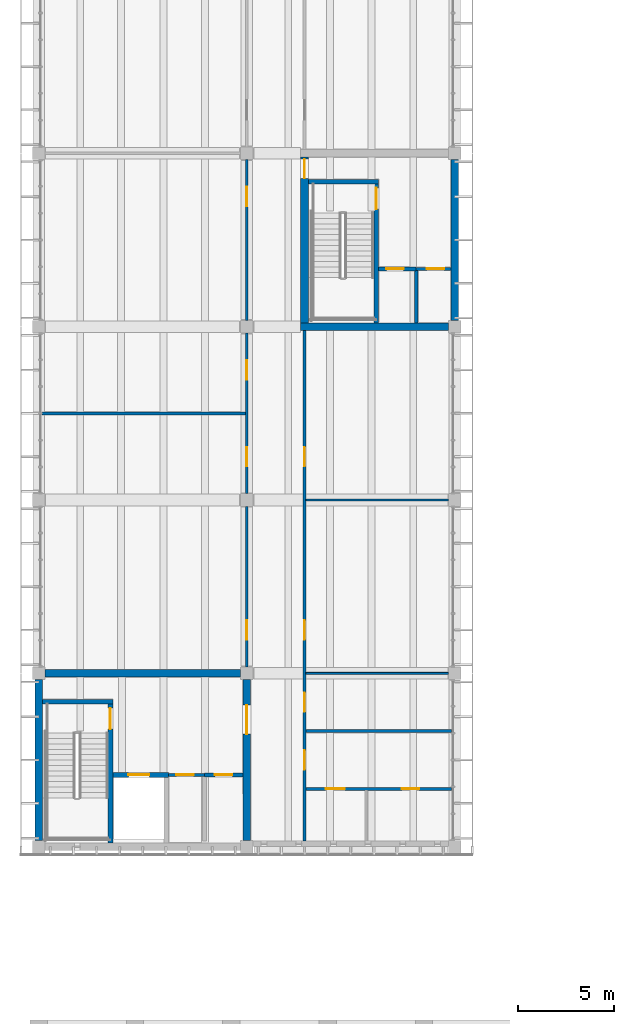
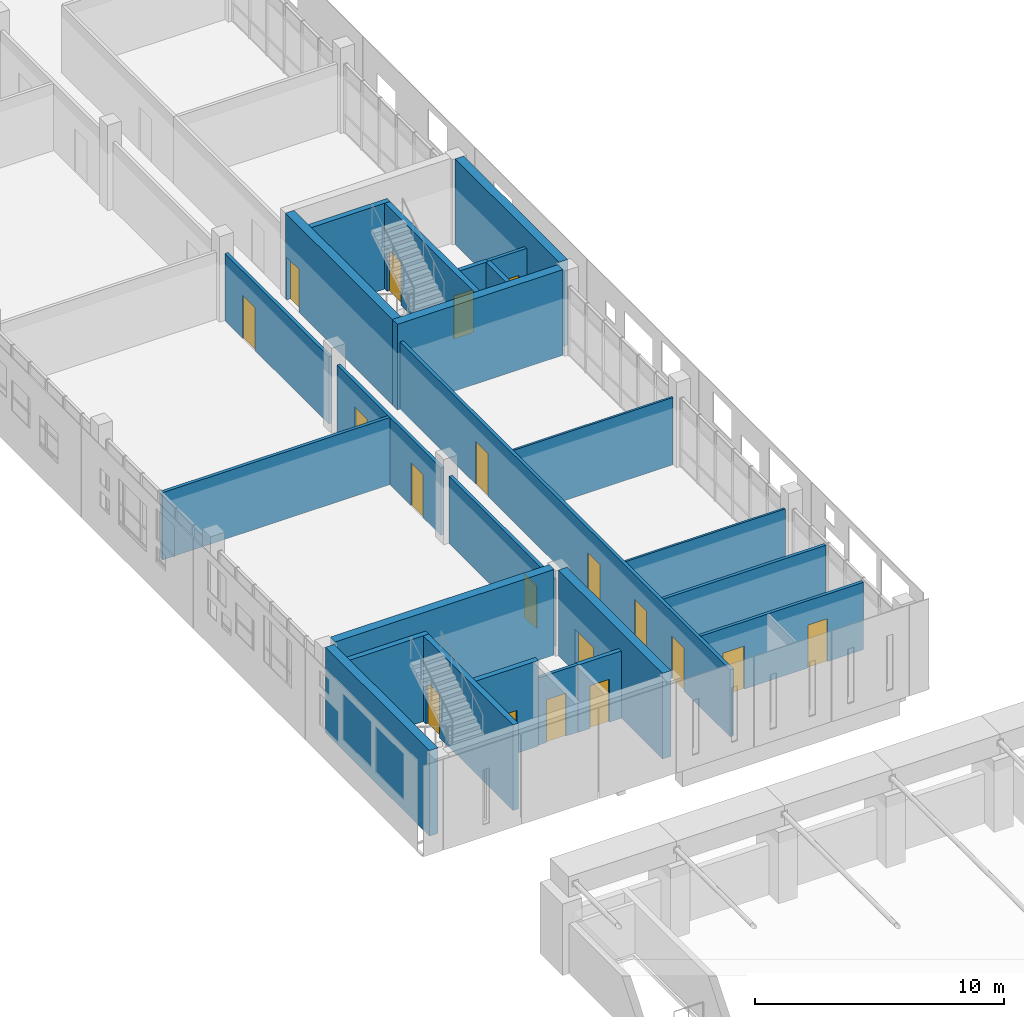
# One storey, part 52 of 92: 25 walls, 19 doors, 19 openings.
"""IFC4 building model written with IfcOpenShell, lengths in metres."""

import ifcopenshell
import ifcopenshell.guid

model = None  # the IFC model being written
_history = None  # IfcOwnerHistory: only IFC2X3 demands one
_inside = {}  # id of a spatial element -> (the spatial element, [elements in it])
_under = {}  # id of a project, library or spatial element -> (it, [spatial elements below it])
_declared = {}  # id of a project -> (the project, [libraries it declares])
_typed = {}  # id of a type object -> (the type object, [elements of that type])
_made_of = {}  # id of a material, layer set ... -> (it, [elements and type objects made of it])


def new_model(schema):
    """Start an empty IFC model of exactly this schema.

    Asked for "IFC4X3", IfcOpenShell would pick the latest addendum, in which some entities
    have other attributes; the version numbers below select the first issue.
    IFC2X3 requires an IfcOwnerHistory on every rooted entity: one is made here for all.
    """
    global model, _history
    if schema == "IFC4X3":
        model = ifcopenshell.file(schema_version=(4, 3, 0, 0))
    else:
        model = ifcopenshell.file(schema=schema)
    _inside.clear()
    _under.clear()
    _declared.clear()
    _typed.clear()
    _made_of.clear()
    _history = None
    if model.schema == "IFC2X3":
        org = make("IfcOrganization", Name="unknown")
        user = make(
            "IfcPersonAndOrganization",
            ThePerson=make("IfcPerson", FamilyName="unknown"),
            TheOrganization=org,
        )
        app = make(
            "IfcApplication",
            ApplicationDeveloper=org,
            Version="unknown",
            ApplicationFullName="unknown",
            ApplicationIdentifier="unknown",
        )
        _history = make(
            "IfcOwnerHistory",
            OwningUser=user,
            OwningApplication=app,
            ChangeAction="ADDED",
            CreationDate=0,
        )
    return model


def make(cls, **values):
    """One entity of the class cls with the attributes given. An attribute that is None is left unset."""
    return model.create_entity(
        cls, **{name: value for name, value in values.items() if value is not None}
    )


def rooted(cls, **values):
    """An entity with a GlobalId (a new one), such as an element, a storey or a relation."""
    return make(cls, GlobalId=ifcopenshell.guid.new(), OwnerHistory=_history, **values)


def si_unit(unit_type, name, prefix=None):
    """IfcSIUnit, for example si_unit("LENGTHUNIT", "METRE", prefix="MILLI")."""
    return make("IfcSIUnit", UnitType=unit_type, Prefix=prefix, Name=name)


def assignment(units):
    """IfcUnitAssignment: the units of a project."""
    return None if units is None else make("IfcUnitAssignment", Units=units)


def point(xyz):
    """IfcCartesianPoint."""
    return None if xyz is None else make("IfcCartesianPoint", Coordinates=xyz)


def direction(xyz):
    """IfcDirection."""
    return None if xyz is None else make("IfcDirection", DirectionRatios=xyz)


def frame(location, z_axis=None, x_axis=None):
    """IfcAxis2Placement3D, a coordinate frame: its origin and axes. An axis left out is left unset."""
    return make(
        "IfcAxis2Placement3D",
        Location=point(location),
        Axis=direction(z_axis),
        RefDirection=direction(x_axis),
    )


def frame_2d(location, x_axis=None):
    """IfcAxis2Placement2D, a coordinate frame in the plane: its origin and x axis."""
    return make(
        "IfcAxis2Placement2D", Location=point(location), RefDirection=direction(x_axis)
    )


def origin():
    """The frame at (0, 0, 0) with its axes left unset."""
    return frame((0.0, 0.0, 0.0))


def place(relative_to, where):
    """IfcLocalPlacement: puts the frame where relative to a parent placement (None: the world)."""
    return make(
        "IfcLocalPlacement", PlacementRelTo=relative_to, RelativePlacement=where
    )


def context(
    kind, dimensions, precision=None, world=None, true_north=None, identifier=None
):
    """IfcGeometricRepresentationContext, for example the 3D "Model" context."""
    return make(
        "IfcGeometricRepresentationContext",
        ContextIdentifier=identifier,
        ContextType=kind,
        CoordinateSpaceDimension=dimensions,
        Precision=precision,
        WorldCoordinateSystem=world,
        TrueNorth=true_north,
    )


def subcontext(parent, identifier, kind, view, scale=None):
    """IfcGeometricRepresentationSubContext, for example "Body" below "Model"."""
    return make(
        "IfcGeometricRepresentationSubContext",
        ContextIdentifier=identifier,
        ContextType=kind,
        ParentContext=parent,
        TargetScale=scale,
        TargetView=view,
    )


def project(units=None, contexts=None):
    """IfcProject with its units and contexts."""
    return rooted(
        "IfcProject",
        Name="project",
        RepresentationContexts=contexts,
        UnitsInContext=assignment(units),
    )


def spatial(cls, under=None, at=None, **own):
    """A site, building, storey or space (cls), placed at a placement, below another one or the project."""
    s = rooted(cls, ObjectPlacement=at, **own)
    if under is not None:
        _under.setdefault(under.id(), (under, []))[1].append(s)
    return s


def profile(cls, at=None, kind="AREA", **sizes):
    """A parametric profile (cls). Its sizes go by their IFC names, for example OverallWidth=200.0."""
    return make(cls, ProfileType=kind, Position=at, **sizes)


def rectangle(**sizes):
    """IfcRectangleProfileDef."""
    return profile("IfcRectangleProfileDef", **sizes)


def extrude(swept, where, along, depth):
    """IfcExtrudedAreaSolid: the profile swept, set in the frame where, extruded along a direction by depth."""
    return make(
        "IfcExtrudedAreaSolid",
        SweptArea=swept,
        Position=where,
        ExtrudedDirection=direction(along),
        Depth=depth,
    )


def shape(context_of_items, identifier, shape_type, items):
    """IfcShapeRepresentation: the items that make up one representation, for example the "Body"."""
    return make(
        "IfcShapeRepresentation",
        ContextOfItems=context_of_items,
        RepresentationIdentifier=identifier,
        RepresentationType=shape_type,
        Items=items,
    )


def material(Name=None, Category=None):
    """IfcMaterial."""
    return make("IfcMaterial", Name=Name, Category=Category)


def layer(
    of_material, thickness, ventilated=None, Name=None, Category=None, Priority=None
):
    """IfcMaterialLayer: one layer of a wall or slab, of a material (None: an air gap)."""
    return make(
        "IfcMaterialLayer",
        Material=of_material,
        LayerThickness=thickness,
        IsVentilated=ventilated,
        Name=Name,
        Category=Category,
        Priority=Priority,
    )


def layer_set(layers, Name=None):
    """IfcMaterialLayerSet."""
    return make("IfcMaterialLayerSet", MaterialLayers=layers, LayerSetName=Name)


def made_of(thing, what):
    """Note that an element or type object is made of a material, layer set ...; save() writes the relation."""
    if what is not None:
        _made_of.setdefault(what.id(), (what, []))[1].append(thing)
    return thing


def type_object(cls, material=None, **own):
    """A type object (cls), such as IfcWallType, which elements share."""
    return made_of(rooted(cls, **own), material)


def element(
    cls,
    number,
    at=None,
    inside=None,
    cuts=None,
    type_object=None,
    material=None,
    context=None,
    identifier="Body",
    shape_type=None,
    held_by="IfcProductDefinitionShape",
    body=None,
    shapes=None,
    **own,
):
    """One element of the class cls, such as IfcWall. Its Tag is "e" and its number.

    at: its placement. inside: the storey or other place that contains it. cuts: it is an
    opening in that element (IfcRelVoidsElement). A single representation is given by context,
    identifier, shape_type and body (its items); several are given by shapes. held_by: the class
    of the entity that holds the representations. save() writes the other relations.
    """
    e = rooted(cls, Tag="e%d" % number, ObjectPlacement=at, **own)
    if body is not None:
        shapes = [shape(context, identifier, shape_type, body)]
    if shapes is not None:
        e.Representation = make(held_by, Representations=shapes)
    if inside is not None:
        _inside.setdefault(inside.id(), (inside, []))[1].append(e)
    if cuts is not None:
        rooted(
            "IfcRelVoidsElement", RelatingBuildingElement=cuts, RelatedOpeningElement=e
        )
    if type_object is not None:
        _typed.setdefault(type_object.id(), (type_object, []))[1].append(e)
    return made_of(e, material)


def fill(opening, filler):
    """IfcRelFillsElement: the door or window that sits in an opening."""
    return rooted(
        "IfcRelFillsElement",
        RelatingOpeningElement=opening,
        RelatedBuildingElement=filler,
    )


def aggregate(whole, parts):
    """IfcRelAggregates: a whole, such as a stair, and the parts it consists of."""
    return rooted("IfcRelAggregates", RelatingObject=whole, RelatedObjects=parts)


def save(model, path):
    """Write the relations noted so far, then the file.

    IfcRelAggregates (storeys below a building ...), IfcRelContainedInSpatialStructure (elements
    in a storey), IfcRelDefinesByType, IfcRelAssociatesMaterial and IfcRelDeclares: one each for
    every whole, place, type object, material and project.
    """
    for whole, parts in _under.values():
        aggregate(whole, parts)
    for where, things in _inside.values():
        rooted(
            "IfcRelContainedInSpatialStructure",
            RelatedElements=things,
            RelatingStructure=where,
        )
    for kind, things in _typed.values():
        rooted("IfcRelDefinesByType", RelatedObjects=things, RelatingType=kind)
    for what, things in _made_of.values():
        rooted("IfcRelAssociatesMaterial", RelatedObjects=things, RelatingMaterial=what)
    for by, libraries in _declared.values():
        rooted("IfcRelDeclares", RelatingContext=by, RelatedDefinitions=libraries)
    model.write(path)


model = new_model("IFC4")

# Units and contexts
model_context = context("Model", 3, precision=1e-05, world=origin(), true_north=direction((0.0, 1.0)))
body_context = subcontext(model_context, "Body", "Model", "MODEL_VIEW")
ifc_project = project(units=[si_unit("LENGTHUNIT", "METRE"), si_unit("AREAUNIT", "SQUARE_METRE"), si_unit("VOLUMEUNIT", "CUBIC_METRE"), si_unit("PLANEANGLEUNIT", "RADIAN"), si_unit("MASSUNIT", "GRAM", prefix="KILO")], contexts=[model_context])

# Site, building, storey
site_placement = place(None, origin())
site = spatial("IfcSite", under=ifc_project, at=site_placement, CompositionType="ELEMENT")
building_placement = place(site_placement, origin())
building = spatial("IfcBuilding", under=site, at=building_placement, Name="Merrow Basin Faculty of Sciences", CompositionType="ELEMENT")
storey_placement = place(building_placement, frame((0.0, 0.0, 4.5)))
storey = spatial("IfcBuildingStorey", under=building, at=storey_placement, Name="L01", CompositionType="ELEMENT", Elevation=4.5)

# Wall, openings, doors
ifc_material_1 = material(Name="Fire-rated gypsum board")
ifc_layer_1 = layer(ifc_material_1, 0.14990234375)
ifc_layer_set_1 = layer_set([ifc_layer_1], Name="Corridor partition 150 fire-rated board on steel studs")
wall_type_1 = type_object("IfcWallType", Name="Corridor partition 150 fire-rated board on steel studs", PredefinedType="PARTITIONING", material=ifc_layer_set_1)
wall_1_placement = place(storey_placement, frame((13.800048828125, 61.300048828125, 0.0), z_axis=(0.0, 0.0, 1.0), x_axis=(0.0, 1.0, 0.0)))
wall_1 = element("IfcWall", 1, at=wall_1_placement, inside=storey, type_object=wall_type_1, Name="IW151 L01 006", PredefinedType="PARTITIONING", context=body_context, shape_type="SweptSolid", body=[
    extrude(rectangle(XDim=26.5, YDim=0.14990234375, at=frame_2d((13.25, 0.0))), origin(), (0.0, 0.0, 1.0), 3.300048828125),
])
opening_1_placement = place(wall_1_placement, frame((3.699951171875, 0.0, 0.0)))
opening_1 = element("IfcOpeningElement", 2, at=opening_1_placement, cuts=wall_1, Name="Opening D01B014", PredefinedType="OPENING", context=body_context, shape_type="SweptSolid", body=[
    extrude(rectangle(XDim=1.0, YDim=2.10009765625, at=frame_2d((0.5, 1.050048828125))), frame((0.0, 0.0849609375, 0.0), z_axis=(0.0, -1.0, 0.0), x_axis=(1.0, 0.0, 0.0)), (0.0, 0.0, 1.0), 0.169921875),
])
opening_2_placement = place(wall_1_placement, frame((10.449951171875, 0.0, 0.0)))
opening_2 = element("IfcOpeningElement", 3, at=opening_2_placement, cuts=wall_1, Name="Opening D01B023", PredefinedType="OPENING", context=body_context, shape_type="SweptSolid", body=[
    extrude(rectangle(XDim=1.0, YDim=2.10009765625, at=frame_2d((0.5, 1.050048828125))), frame((0.0, 0.0849609375, 0.0), z_axis=(0.0, -1.0, 0.0), x_axis=(1.0, 0.0, 0.0)), (0.0, 0.0, 1.0), 0.169921875),
])
opening_3_placement = place(wall_1_placement, frame((19.449951171875, 0.0, 0.0)))
opening_3 = element("IfcOpeningElement", 4, at=opening_3_placement, cuts=wall_1, Name="Opening D01B024", PredefinedType="OPENING", context=body_context, shape_type="SweptSolid", body=[
    extrude(rectangle(XDim=1.0, YDim=2.10009765625, at=frame_2d((0.5, 1.050048828125))), frame((0.0, 0.0849609375, 0.0), z_axis=(0.0, -1.0, 0.0), x_axis=(1.0, 0.0, 0.0)), (0.0, 0.0, 1.0), 0.169921875),
])
opening_4_placement = place(wall_1_placement, frame((6.699951171875, 0.0, 0.0)))
opening_4 = element("IfcOpeningElement", 5, at=opening_4_placement, cuts=wall_1, Name="Opening D01B027", PredefinedType="OPENING", context=body_context, shape_type="SweptSolid", body=[
    extrude(rectangle(XDim=1.0, YDim=2.10009765625, at=frame_2d((0.5, 1.050048828125))), frame((0.0, 0.0849609375, 0.0), z_axis=(0.0, -1.0, 0.0), x_axis=(1.0, 0.0, 0.0)), (0.0, 0.0, 1.0), 0.169921875),
])
ifc_material_2 = material(Name="Timber door leaf", Category="wood")
door_type_1 = type_object("IfcDoorType", Name="Single swing door 1000 x 2100", OperationType="NOTDEFINED", PredefinedType="DOOR", material=ifc_material_2)
door_1_placement = place(opening_1_placement, origin())
door_1 = element("IfcDoor", 6, at=door_1_placement, inside=storey, type_object=door_type_1, Name="Door D01B014", OperationType="SINGLE_SWING_LEFT", OverallHeight=2.10009765625, OverallWidth=1.0, PredefinedType="DOOR", context=body_context, shape_type="SweptSolid", body=[
    extrude(rectangle(XDim=1.0, YDim=2.10009765625, at=frame_2d((0.5, 1.050048828125))), frame((0.0, 0.02490234375, 0.0), z_axis=(0.0, -1.0, 0.0), x_axis=(1.0, 0.0, 0.0)), (0.0, 0.0, 1.0), 0.050048828125),
])
fill(opening_1, door_1)
door_2_placement = place(opening_2_placement, origin())
door_2 = element("IfcDoor", 7, at=door_2_placement, inside=storey, type_object=door_type_1, Name="Door D01B023", OperationType="SINGLE_SWING_LEFT", OverallHeight=2.10009765625, OverallWidth=1.0, PredefinedType="DOOR", context=body_context, shape_type="SweptSolid", body=[
    extrude(rectangle(XDim=1.0, YDim=2.10009765625, at=frame_2d((0.5, 1.050048828125))), frame((0.0, 0.02490234375, 0.0), z_axis=(0.0, -1.0, 0.0), x_axis=(1.0, 0.0, 0.0)), (0.0, 0.0, 1.0), 0.050048828125),
])
fill(opening_2, door_2)
door_3_placement = place(opening_3_placement, origin())
door_3 = element("IfcDoor", 8, at=door_3_placement, inside=storey, type_object=door_type_1, Name="Door D01B024", OperationType="SINGLE_SWING_LEFT", OverallHeight=2.10009765625, OverallWidth=1.0, PredefinedType="DOOR", context=body_context, shape_type="SweptSolid", body=[
    extrude(rectangle(XDim=1.0, YDim=2.10009765625, at=frame_2d((0.5, 1.050048828125))), frame((0.0, 0.02490234375, 0.0), z_axis=(0.0, -1.0, 0.0), x_axis=(1.0, 0.0, 0.0)), (0.0, 0.0, 1.0), 0.050048828125),
])
fill(opening_3, door_3)
door_4_placement = place(opening_4_placement, origin())
door_4 = element("IfcDoor", 9, at=door_4_placement, inside=storey, type_object=door_type_1, Name="Door D01B027", OperationType="SINGLE_SWING_LEFT", OverallHeight=2.10009765625, OverallWidth=1.0, PredefinedType="DOOR", context=body_context, shape_type="SweptSolid", body=[
    extrude(rectangle(XDim=1.0, YDim=2.10009765625, at=frame_2d((0.5, 1.050048828125))), frame((0.0, 0.02490234375, 0.0), z_axis=(0.0, -1.0, 0.0), x_axis=(1.0, 0.0, 0.0)), (0.0, 0.0, 1.0), 0.050048828125),
])
fill(opening_4, door_4)

wall_2_placement = place(storey_placement, frame((13.875, 64.0, 0.0), z_axis=(0.0, 0.0, 1.0), x_axis=(1.0, 0.0, 0.0)))
wall_2 = element("IfcWall", 10, at=wall_2_placement, inside=storey, type_object=wall_type_1, Name="IW151 L01 008", PredefinedType="PARTITIONING", context=body_context, shape_type="SweptSolid", body=[
    extrude(rectangle(XDim=7.544921875, YDim=0.14990234375, at=frame_2d((3.7724609375, 0.0))), origin(), (0.0, 0.0, 1.0), 3.300048828125),
])
opening_5_placement = place(wall_2_placement, frame((1.02490234375, 0.0, 0.0)))
opening_5 = element("IfcOpeningElement", 11, at=opening_5_placement, cuts=wall_2, Name="Opening D01B012", PredefinedType="OPENING", context=body_context, shape_type="SweptSolid", body=[
    extrude(rectangle(XDim=1.0, YDim=2.10009765625, at=frame_2d((0.5, 1.050048828125))), frame((0.0, 0.0849609375, 0.0), z_axis=(0.0, -1.0, 0.0), x_axis=(1.0, 0.0, 0.0)), (0.0, 0.0, 1.0), 0.169921875),
])
opening_6_placement = place(wall_2_placement, frame((4.97509765625, 0.0, 0.0)))
opening_6 = element("IfcOpeningElement", 12, at=opening_6_placement, cuts=wall_2, Name="Opening D01B013", PredefinedType="OPENING", context=body_context, shape_type="SweptSolid", body=[
    extrude(rectangle(XDim=0.89990234375, YDim=2.10009765625, at=frame_2d((0.449951171875, 1.050048828125))), frame((0.0, 0.0849609375, 0.0), z_axis=(0.0, -1.0, 0.0), x_axis=(1.0, 0.0, 0.0)), (0.0, 0.0, 1.0), 0.169921875),
])
ifc_material_3 = material(Name="Timber door leaf", Category="wood")
door_type_2 = type_object("IfcDoorType", Name="Accessible door 1000 x 2100", OperationType="NOTDEFINED", PredefinedType="DOOR", material=ifc_material_3)
door_5_placement = place(opening_5_placement, origin())
door_5 = element("IfcDoor", 13, at=door_5_placement, inside=storey, type_object=door_type_2, Name="Door D01B012", OperationType="SINGLE_SWING_LEFT", OverallHeight=2.10009765625, OverallWidth=1.0, PredefinedType="DOOR", context=body_context, shape_type="SweptSolid", body=[
    extrude(rectangle(XDim=1.0, YDim=2.10009765625, at=frame_2d((0.5, 1.050048828125))), frame((0.0, 0.02490234375, 0.0), z_axis=(0.0, -1.0, 0.0), x_axis=(1.0, 0.0, 0.0)), (0.0, 0.0, 1.0), 0.050048828125),
])
fill(opening_5, door_5)
ifc_material_4 = material(Name="Timber door leaf", Category="wood")
door_type_3 = type_object("IfcDoorType", Name="Single swing door 900 x 2100", OperationType="NOTDEFINED", PredefinedType="DOOR", material=ifc_material_4)
door_6_placement = place(opening_6_placement, origin())
door_6 = element("IfcDoor", 14, at=door_6_placement, inside=storey, type_object=door_type_3, Name="Door D01B013", OperationType="SINGLE_SWING_LEFT", OverallHeight=2.10009765625, OverallWidth=0.89990234375, PredefinedType="DOOR", context=body_context, shape_type="SweptSolid", body=[
    extrude(rectangle(XDim=0.89990234375, YDim=2.10009765625, at=frame_2d((0.449951171875, 1.050048828125))), frame((0.0, 0.02490234375, 0.0), z_axis=(0.0, -1.0, 0.0), x_axis=(1.0, 0.0, 0.0)), (0.0, 0.0, 1.0), 0.050048828125),
])
fill(opening_6, door_6)

# Wall, opening, door
wall_3_placement = place(storey_placement, frame((6.75, 64.72509765625, 0.0), z_axis=(0.0, 0.0, 1.0), x_axis=(1.0, 0.0, 0.0)))
wall_3 = element("IfcWall", 15, at=wall_3_placement, inside=storey, type_object=wall_type_1, Name="IW151 L01 009", PredefinedType="PARTITIONING", context=body_context, shape_type="SweptSolid", body=[
    extrude(rectangle(XDim=1.85009765625, YDim=0.14990234375, at=frame_2d((0.925048828125, 0.0))), origin(), (0.0, 0.0, 1.0), 3.300048828125),
])
opening_7_placement = place(wall_3_placement, frame((0.39990234375, 0.0, 0.0)))
opening_7 = element("IfcOpeningElement", 16, at=opening_7_placement, cuts=wall_3, Name="Opening D01B002", PredefinedType="OPENING", context=body_context, shape_type="SweptSolid", body=[
    extrude(rectangle(XDim=0.89990234375, YDim=2.10009765625, at=frame_2d((0.449951171875, 1.050048828125))), frame((0.0, 0.0849609375, 0.0), z_axis=(0.0, -1.0, 0.0), x_axis=(1.0, 0.0, 0.0)), (0.0, 0.0, 1.0), 0.169921875),
])
ifc_material_5 = material(Name="Fire-rated steel door", Category="steel")
door_type_4 = type_object("IfcDoorType", Name="Fire door FD60 900 x 2100", OperationType="NOTDEFINED", PredefinedType="DOOR", material=ifc_material_5)
door_7_placement = place(opening_7_placement, origin())
door_7 = element("IfcDoor", 17, at=door_7_placement, inside=storey, type_object=door_type_4, Name="Door D01B002", OperationType="SINGLE_SWING_LEFT", OverallHeight=2.10009765625, OverallWidth=0.89990234375, PredefinedType="DOOR", context=body_context, shape_type="SweptSolid", body=[
    extrude(rectangle(XDim=0.89990234375, YDim=2.10009765625, at=frame_2d((0.449951171875, 1.050048828125))), frame((0.0, 0.02490234375, 0.0), z_axis=(0.0, -1.0, 0.0), x_axis=(1.0, 0.0, 0.0)), (0.0, 0.0, 1.0), 0.050048828125),
])
fill(opening_7, door_7)

# Wall
wall_4_placement = place(storey_placement, frame((13.875, 67.0, 0.0), z_axis=(0.0, 0.0, 1.0), x_axis=(1.0, 0.0, 0.0)))
element("IfcWall", 18, at=wall_4_placement, inside=storey, type_object=wall_type_1, Name="IW151 L01 010", PredefinedType="PARTITIONING", context=body_context, shape_type="SweptSolid", body=[
    extrude(rectangle(XDim=7.544921875, YDim=0.14990234375, at=frame_2d((3.7724609375, 0.0))), origin(), (0.0, 0.0, 1.0), 3.300048828125),
])

# Wall, opening, door
wall_5_placement = place(storey_placement, frame((19.60009765625, 91.0, 0.0), z_axis=(0.0, 0.0, 1.0), x_axis=(1.0, 0.0, 0.0)))
wall_5 = element("IfcWall", 19, at=wall_5_placement, inside=storey, type_object=wall_type_1, Name="IW151 L01 011", PredefinedType="PARTITIONING", context=body_context, shape_type="SweptSolid", body=[
    extrude(rectangle(XDim=1.7998046875, YDim=0.14990234375, at=frame_2d((0.89990234375, 0.0))), origin(), (0.0, 0.0, 1.0), 3.300048828125),
])
opening_8_placement = place(wall_5_placement, frame((0.550048828125, 0.0, 0.0)))
opening_8 = element("IfcOpeningElement", 20, at=opening_8_placement, cuts=wall_5, Name="Opening D01B008", PredefinedType="OPENING", context=body_context, shape_type="SweptSolid", body=[
    extrude(rectangle(XDim=0.89990234375, YDim=2.10009765625, at=frame_2d((0.449951171875, 1.050048828125))), frame((0.0, 0.0849609375, 0.0), z_axis=(0.0, -1.0, 0.0), x_axis=(1.0, 0.0, 0.0)), (0.0, 0.0, 1.0), 0.169921875),
])
door_8_placement = place(opening_8_placement, origin())
door_8 = element("IfcDoor", 21, at=door_8_placement, inside=storey, type_object=door_type_4, Name="Door D01B008", OperationType="SINGLE_SWING_RIGHT", OverallHeight=2.10009765625, OverallWidth=0.89990234375, PredefinedType="DOOR", context=body_context, shape_type="SweptSolid", body=[
    extrude(rectangle(XDim=0.89990234375, YDim=2.10009765625, at=frame_2d((0.449951171875, 1.050048828125))), frame((0.0, 0.02490234375, 0.0), z_axis=(0.0, -1.0, 0.0), x_axis=(1.0, 0.0, 0.0)), (0.0, 0.0, 1.0), 0.050048828125),
])
fill(opening_8, door_8)

ifc_material_6 = material(Name="Fire-rated gypsum board")
ifc_layer_2 = layer(ifc_material_6, 0.14990234375)
ifc_layer_set_2 = layer_set([ifc_layer_2], Name="Laboratory partition 150 fire-rated board on steel studs")
wall_type_2 = type_object("IfcWallType", Name="Laboratory partition 150 fire-rated board on steel studs", PredefinedType="PARTITIONING", material=ifc_layer_set_2)
wall_6_placement = place(storey_placement, frame((10.800048828125, 70.324951171875, 0.0), z_axis=(0.0, 0.0, 1.0), x_axis=(0.0, 1.0, 0.0)))
wall_6 = element("IfcWall", 22, at=wall_6_placement, inside=storey, type_object=wall_type_2, Name="IW150 L01 013", PredefinedType="PARTITIONING", context=body_context, shape_type="SweptSolid", body=[
    extrude(rectangle(XDim=8.35009765625, YDim=0.14990234375, at=frame_2d((4.175048828125, 0.0))), origin(), (0.0, 0.0, 1.0), 3.300048828125),
])
opening_9_placement = place(wall_6_placement, frame((1.425048828125, 0.0, 0.0)))
opening_9 = element("IfcOpeningElement", 23, at=opening_9_placement, cuts=wall_6, Name="Opening D01B015", PredefinedType="OPENING", context=body_context, shape_type="SweptSolid", body=[
    extrude(rectangle(XDim=1.0, YDim=2.10009765625, at=frame_2d((0.5, 1.050048828125))), frame((0.0, 0.0849609375, 0.0), z_axis=(0.0, -1.0, 0.0), x_axis=(1.0, 0.0, 0.0)), (0.0, 0.0, 1.0), 0.169921875),
])
ifc_material_7 = material(Name="Fire-rated steel door", Category="steel")
door_type_5 = type_object("IfcDoorType", Name="Fire door FD60 1000 x 2100", OperationType="NOTDEFINED", PredefinedType="DOOR", material=ifc_material_7)
door_9_placement = place(opening_9_placement, origin())
door_9 = element("IfcDoor", 24, at=door_9_placement, inside=storey, type_object=door_type_5, Name="Door D01B015", OperationType="SINGLE_SWING_LEFT", OverallHeight=2.10009765625, OverallWidth=1.0, PredefinedType="DOOR", context=body_context, shape_type="SweptSolid", body=[
    extrude(rectangle(XDim=1.0, YDim=2.10009765625, at=frame_2d((0.5, 1.050048828125))), frame((0.0, 0.02490234375, 0.0), z_axis=(0.0, -1.0, 0.0), x_axis=(1.0, 0.0, 0.0)), (0.0, 0.0, 1.0), 0.050048828125),
])
fill(opening_9, door_9)

# Wall, openings, doors
wall_7_placement = place(storey_placement, frame((10.800048828125, 79.324951171875, 0.0), z_axis=(0.0, 0.0, 1.0), x_axis=(0.0, 1.0, 0.0)))
wall_7 = element("IfcWall", 25, at=wall_7_placement, inside=storey, type_object=wall_type_2, Name="IW150 L01 014", PredefinedType="PARTITIONING", context=body_context, shape_type="SweptSolid", body=[
    extrude(rectangle(XDim=8.35009765625, YDim=0.14990234375, at=frame_2d((4.175048828125, 0.0))), origin(), (0.0, 0.0, 1.0), 3.300048828125),
])
opening_10_placement = place(wall_7_placement, frame((1.425048828125, 0.0, 0.0)))
opening_10 = element("IfcOpeningElement", 26, at=opening_10_placement, cuts=wall_7, Name="Opening D01B016", PredefinedType="OPENING", context=body_context, shape_type="SweptSolid", body=[
    extrude(rectangle(XDim=1.0, YDim=2.10009765625, at=frame_2d((0.5, 1.050048828125))), frame((0.0, 0.0849609375, 0.0), z_axis=(0.0, -1.0, 0.0), x_axis=(1.0, 0.0, 0.0)), (0.0, 0.0, 1.0), 0.169921875),
])
opening_11_placement = place(wall_7_placement, frame((5.925048828125, 0.0, 0.0)))
opening_11 = element("IfcOpeningElement", 27, at=opening_11_placement, cuts=wall_7, Name="Opening D01B017", PredefinedType="OPENING", context=body_context, shape_type="SweptSolid", body=[
    extrude(rectangle(XDim=1.0, YDim=2.10009765625, at=frame_2d((0.5, 1.050048828125))), frame((0.0, 0.0849609375, 0.0), z_axis=(0.0, -1.0, 0.0), x_axis=(1.0, 0.0, 0.0)), (0.0, 0.0, 1.0), 0.169921875),
])
door_10_placement = place(opening_10_placement, origin())
door_10 = element("IfcDoor", 28, at=door_10_placement, inside=storey, type_object=door_type_5, Name="Door D01B016", OperationType="SINGLE_SWING_RIGHT", OverallHeight=2.10009765625, OverallWidth=1.0, PredefinedType="DOOR", context=body_context, shape_type="SweptSolid", body=[
    extrude(rectangle(XDim=1.0, YDim=2.10009765625, at=frame_2d((0.5, 1.050048828125))), frame((0.0, 0.02490234375, 0.0), z_axis=(0.0, -1.0, 0.0), x_axis=(1.0, 0.0, 0.0)), (0.0, 0.0, 1.0), 0.050048828125),
])
fill(opening_10, door_10)
door_11_placement = place(opening_11_placement, origin())
door_11 = element("IfcDoor", 29, at=door_11_placement, inside=storey, type_object=door_type_5, Name="Door D01B017", OperationType="SINGLE_SWING_LEFT", OverallHeight=2.10009765625, OverallWidth=1.0, PredefinedType="DOOR", context=body_context, shape_type="SweptSolid", body=[
    extrude(rectangle(XDim=1.0, YDim=2.10009765625, at=frame_2d((0.5, 1.050048828125))), frame((0.0, 0.02490234375, 0.0), z_axis=(0.0, -1.0, 0.0), x_axis=(1.0, 0.0, 0.0)), (0.0, 0.0, 1.0), 0.050048828125),
])
fill(opening_11, door_11)

# Wall, opening, door
wall_8_placement = place(storey_placement, frame((10.800048828125, 88.324951171875, 0.0), z_axis=(0.0, 0.0, 1.0), x_axis=(0.0, 1.0, 0.0)))
wall_8 = element("IfcWall", 30, at=wall_8_placement, inside=storey, type_object=wall_type_2, Name="IW150 L01 015", PredefinedType="PARTITIONING", context=body_context, shape_type="SweptSolid", body=[
    extrude(rectangle(XDim=8.35009765625, YDim=0.14990234375, at=frame_2d((4.175048828125, 0.0))), origin(), (0.0, 0.0, 1.0), 3.300048828125),
])
opening_12_placement = place(wall_8_placement, frame((5.925048828125, 0.0, 0.0)))
opening_12 = element("IfcOpeningElement", 31, at=opening_12_placement, cuts=wall_8, Name="Opening D01B018", PredefinedType="OPENING", context=body_context, shape_type="SweptSolid", body=[
    extrude(rectangle(XDim=1.0, YDim=2.10009765625, at=frame_2d((0.5, 1.050048828125))), frame((0.0, 0.0849609375, 0.0), z_axis=(0.0, -1.0, 0.0), x_axis=(1.0, 0.0, 0.0)), (0.0, 0.0, 1.0), 0.169921875),
])
door_12_placement = place(opening_12_placement, origin())
door_12 = element("IfcDoor", 32, at=door_12_placement, inside=storey, type_object=door_type_5, Name="Door D01B018", OperationType="SINGLE_SWING_RIGHT", OverallHeight=2.10009765625, OverallWidth=1.0, PredefinedType="DOOR", context=body_context, shape_type="SweptSolid", body=[
    extrude(rectangle(XDim=1.0, YDim=2.10009765625, at=frame_2d((0.5, 1.050048828125))), frame((0.0, 0.02490234375, 0.0), z_axis=(0.0, -1.0, 0.0), x_axis=(1.0, 0.0, 0.0)), (0.0, 0.0, 1.0), 0.050048828125),
])
fill(opening_12, door_12)

# Walls
wall_9_placement = place(storey_placement, frame((0.179931640625, 83.5, 0.0), z_axis=(0.0, 0.0, 1.0), x_axis=(1.0, 0.0, 0.0)))
element("IfcWall", 33, at=wall_9_placement, inside=storey, type_object=wall_type_2, Name="IW150 L01 020", PredefinedType="PARTITIONING", context=body_context, shape_type="SweptSolid", body=[
    extrude(rectangle(XDim=10.545166015625, YDim=0.14990234375, at=frame_2d((5.2724609375, 0.0))), origin(), (0.0, 0.0, 1.0), 3.300048828125),
])
ifc_material_8 = material(Name="Gypsum board")
ifc_layer_3 = layer(ifc_material_8, 0.10009765625)
ifc_layer_set_3 = layer_set([ifc_layer_3], Name="Partition 100 gypsum board on steel studs")
wall_type_3 = type_object("IfcWallType", Name="Partition 100 gypsum board on steel studs", PredefinedType="PARTITIONING", material=ifc_layer_set_3)
for number, where, z_axis, x_axis, name in (
    (34, (13.875, 70.0, 0.0), (0.0, 0.0, 1.0), (1.0, 0.0, 0.0), "IW100 L01 026"),
    (35, (13.875, 79.0, 0.0), (0.0, 0.0, 1.0), (1.0, 0.0, 0.0), "IW100 L01 027"),
):
    element("IfcWall", number, at=place(storey_placement, frame(where, z_axis=z_axis, x_axis=x_axis)), inside=storey, type_object=wall_type_3, Name=name, PredefinedType="PARTITIONING", context=body_context, shape_type="SweptSolid", body=[
        extrude(rectangle(XDim=7.39990234375, YDim=0.10009765625, at=frame_2d((3.699951171875, 0.0))), origin(), (0.0, 0.0, 1.0), 3.300048828125),
    ])
ifc_material_9 = material(Name="Fire-rated gypsum board")
ifc_layer_4 = layer(ifc_material_9, 0.199951171875)
ifc_layer_set_4 = layer_set([ifc_layer_4], Name="Riser lining 200 fire-rated board on steel studs")
wall_type_4 = type_object("IfcWallType", Name="Riser lining 200 fire-rated board on steel studs", PredefinedType="PARTITIONING", material=ifc_layer_set_4)
wall_10_placement = place(storey_placement, frame((19.60009765625, 88.199951171875, 0.0), z_axis=(0.0, 0.0, 1.0), x_axis=(0.0, 1.0, 0.0)))
element("IfcWall", 36, at=wall_10_placement, inside=storey, type_object=wall_type_4, Name="IW200 L01 002", PredefinedType="PARTITIONING", context=body_context, shape_type="SweptSolid", body=[
    extrude(rectangle(XDim=2.800048828125, YDim=0.199951171875, at=frame_2d((1.39990234375, 0.0))), origin(), (0.0, 0.0, 1.0), 3.300048828125),
])

# Wall, opening, door
wall_11_placement = place(storey_placement, frame((8.60009765625, 64.72509765625, 0.0), z_axis=(0.0, 0.0, 1.0), x_axis=(1.0, 0.0, 0.0)))
wall_11 = element("IfcWall", 37, at=wall_11_placement, inside=storey, type_object=wall_type_4, Name="IW200 L01 003", PredefinedType="PARTITIONING", context=body_context, shape_type="SweptSolid", body=[
    extrude(rectangle(XDim=2.0, YDim=0.199951171875, at=frame_2d((1.0, 0.0))), origin(), (0.0, 0.0, 1.0), 3.300048828125),
])
opening_13_placement = place(wall_11_placement, frame((0.550048828125, 0.0, 0.0)))
opening_13 = element("IfcOpeningElement", 38, at=opening_13_placement, cuts=wall_11, Name="Opening D01B003", PredefinedType="OPENING", context=body_context, shape_type="SweptSolid", body=[
    extrude(rectangle(XDim=0.89990234375, YDim=2.10009765625, at=frame_2d((0.449951171875, 1.050048828125))), frame((0.0, 0.10986328125, 0.0), z_axis=(0.0, -1.0, 0.0), x_axis=(1.0, 0.0, 0.0)), (0.0, 0.0, 1.0), 0.219970703125),
])
door_13_placement = place(opening_13_placement, origin())
door_13 = element("IfcDoor", 39, at=door_13_placement, inside=storey, type_object=door_type_4, Name="Door D01B003", OperationType="SINGLE_SWING_LEFT", OverallHeight=2.10009765625, OverallWidth=0.89990234375, PredefinedType="DOOR", context=body_context, shape_type="SweptSolid", body=[
    extrude(rectangle(XDim=0.89990234375, YDim=2.10009765625, at=frame_2d((0.449951171875, 1.050048828125))), frame((0.0, 0.02490234375, 0.0), z_axis=(0.0, -1.0, 0.0), x_axis=(1.0, 0.0, 0.0)), (0.0, 0.0, 1.0), 0.050048828125),
])
fill(opening_13, door_13)

wall_12_placement = place(storey_placement, frame((17.64990234375, 91.0, 0.0), z_axis=(0.0, 0.0, 1.0), x_axis=(1.0, 0.0, 0.0)))
wall_12 = element("IfcWall", 40, at=wall_12_placement, inside=storey, type_object=wall_type_4, Name="IW200 L01 004", PredefinedType="PARTITIONING", context=body_context, shape_type="SweptSolid", body=[
    extrude(rectangle(XDim=1.9501953125, YDim=0.199951171875, at=frame_2d((0.97509765625, 0.0))), origin(), (0.0, 0.0, 1.0), 3.300048828125),
])
opening_14_placement = place(wall_12_placement, frame((0.39990234375, 0.0, 0.0)))
opening_14 = element("IfcOpeningElement", 41, at=opening_14_placement, cuts=wall_12, Name="Opening D01B007", PredefinedType="OPENING", context=body_context, shape_type="SweptSolid", body=[
    extrude(rectangle(XDim=0.89990234375, YDim=2.10009765625, at=frame_2d((0.449951171875, 1.050048828125))), frame((0.0, 0.10986328125, 0.0), z_axis=(0.0, -1.0, 0.0), x_axis=(1.0, 0.0, 0.0)), (0.0, 0.0, 1.0), 0.219970703125),
])
door_14_placement = place(opening_14_placement, origin())
door_14 = element("IfcDoor", 42, at=door_14_placement, inside=storey, type_object=door_type_4, Name="Door D01B007", OperationType="SINGLE_SWING_LEFT", OverallHeight=2.10009765625, OverallWidth=0.89990234375, PredefinedType="DOOR", context=body_context, shape_type="SweptSolid", body=[
    extrude(rectangle(XDim=0.89990234375, YDim=2.10009765625, at=frame_2d((0.449951171875, 1.050048828125))), frame((0.0, 0.02490234375, 0.0), z_axis=(0.0, -1.0, 0.0), x_axis=(1.0, 0.0, 0.0)), (0.0, 0.0, 1.0), 0.050048828125),
])
fill(opening_14, door_14)

# Wall
ifc_material_10 = material(Name="Concrete C40/50", Category="concrete")
ifc_layer_5 = layer(ifc_material_10, 0.25)
ifc_layer_set_5 = layer_set([ifc_layer_5], Name="Shear wall 250 Concrete C40/50")
wall_type_5 = type_object("IfcWallType", Name="Shear wall 250 Concrete C40/50", PredefinedType="SHEAR", material=ifc_layer_set_5)
wall_13_placement = place(storey_placement, frame((0.199951171875, 68.52490234375, 0.0), z_axis=(0.0, 0.0, 1.0), x_axis=(1.0, 0.0, 0.0)))
element("IfcWall", 43, at=wall_13_placement, inside=storey, type_object=wall_type_5, Name="SW2 L01 005", PredefinedType="SHEAR", context=body_context, shape_type="SweptSolid", body=[
    extrude(rectangle(XDim=3.650146484375, YDim=0.25, at=frame_2d((1.8251953125, 0.0))), origin(), (0.0, 0.0, 1.0), 4.199951171875),
])

# Wall, opening, door
wall_14_placement = place(storey_placement, frame((3.72509765625, 61.199951171875, 0.0), z_axis=(0.0, 0.0, 1.0), x_axis=(0.0, 1.0, 0.0)))
wall_14 = element("IfcWall", 44, at=wall_14_placement, inside=storey, type_object=wall_type_5, Name="SW2 L01 006", PredefinedType="SHEAR", context=body_context, shape_type="SweptSolid", body=[
    extrude(rectangle(XDim=7.199951171875, YDim=0.25, at=frame_2d((3.60009765625, 0.0))), origin(), (0.0, 0.0, 1.0), 4.199951171875),
])
opening_15_placement = place(wall_14_placement, frame((5.89990234375, 0.0, 0.0)))
opening_15 = element("IfcOpeningElement", 45, at=opening_15_placement, cuts=wall_14, Name="Opening D01B001", PredefinedType="OPENING", context=body_context, shape_type="SweptSolid", body=[
    extrude(rectangle(XDim=1.10009765625, YDim=2.10009765625, at=frame_2d((0.550048828125, 1.050048828125))), frame((0.0, 0.135009765625, 0.0), z_axis=(0.0, -1.0, 0.0), x_axis=(1.0, 0.0, 0.0)), (0.0, 0.0, 1.0), 0.27001953125),
])
ifc_material_11 = material(Name="Fire-rated steel door", Category="steel")
door_type_6 = type_object("IfcDoorType", Name="Fire door FD90 1100 x 2100", OperationType="NOTDEFINED", PredefinedType="DOOR", material=ifc_material_11)
door_15_placement = place(opening_15_placement, origin())
door_15 = element("IfcDoor", 46, at=door_15_placement, inside=storey, type_object=door_type_6, Name="Stair S door", OperationType="SINGLE_SWING_RIGHT", OverallHeight=2.10009765625, OverallWidth=1.10009765625, PredefinedType="DOOR", context=body_context, shape_type="SweptSolid", body=[
    extrude(rectangle(XDim=1.10009765625, YDim=2.10009765625, at=frame_2d((0.550048828125, 1.050048828125))), frame((0.0, 0.02490234375, 0.0), z_axis=(0.0, -1.0, 0.0), x_axis=(1.0, 0.0, 0.0)), (0.0, 0.0, 1.0), 0.050048828125),
])
fill(opening_15, door_15)

wall_15_placement = place(storey_placement, frame((3.85009765625, 64.72509765625, 0.0), z_axis=(0.0, 0.0, 1.0), x_axis=(1.0, 0.0, 0.0)))
wall_15 = element("IfcWall", 47, at=wall_15_placement, inside=storey, type_object=wall_type_5, Name="SW2 L01 007", PredefinedType="SHEAR", context=body_context, shape_type="SweptSolid", body=[
    extrude(rectangle(XDim=2.89990234375, YDim=0.25, at=frame_2d((1.449951171875, 0.0))), origin(), (0.0, 0.0, 1.0), 4.199951171875),
])
opening_16_placement = place(wall_15_placement, frame((0.800048828125, 0.0, 0.0)))
opening_16 = element("IfcOpeningElement", 48, at=opening_16_placement, cuts=wall_15, Name="Opening LD01B01", PredefinedType="OPENING", context=body_context, shape_type="SweptSolid", body=[
    extrude(rectangle(XDim=1.10009765625, YDim=2.10009765625, at=frame_2d((0.550048828125, 1.050048828125))), frame((0.0, 0.135009765625, 0.0), z_axis=(0.0, -1.0, 0.0), x_axis=(1.0, 0.0, 0.0)), (0.0, 0.0, 1.0), 0.27001953125),
])
ifc_material_12 = material(Name="Stainless steel sliding door", Category="steel")
door_type_7 = type_object("IfcDoorType", Name="Lift landing door 1100 x 2100 sliding", OperationType="NOTDEFINED", PredefinedType="DOOR", material=ifc_material_12)
door_16_placement = place(opening_16_placement, origin())
door_16 = element("IfcDoor", 49, at=door_16_placement, inside=storey, type_object=door_type_7, Name="Landing door LF1 L01", OperationType="SLIDING_TO_LEFT", OverallHeight=2.10009765625, OverallWidth=1.10009765625, PredefinedType="DOOR", context=body_context, shape_type="SweptSolid", body=[
    extrude(rectangle(XDim=1.10009765625, YDim=2.10009765625, at=frame_2d((0.550048828125, 1.050048828125))), frame((0.0, 0.02490234375, 0.0), z_axis=(0.0, -1.0, 0.0), x_axis=(1.0, 0.0, 0.0)), (0.0, 0.0, 1.0), 0.050048828125),
])
fill(opening_16, door_16)

# Wall
wall_16_placement = place(storey_placement, frame((14.0, 95.52490234375, 0.0), z_axis=(0.0, 0.0, 1.0), x_axis=(1.0, 0.0, 0.0)))
element("IfcWall", 50, at=wall_16_placement, inside=storey, type_object=wall_type_5, Name="SW2 L01 013", PredefinedType="SHEAR", context=body_context, shape_type="SweptSolid", body=[
    extrude(rectangle(XDim=3.64990234375, YDim=0.25, at=frame_2d((1.824951171875, 0.0))), origin(), (0.0, 0.0, 1.0), 4.199951171875),
])

# Wall, opening, door
wall_17_placement = place(storey_placement, frame((17.52490234375, 88.199951171875, 0.0), z_axis=(0.0, 0.0, 1.0), x_axis=(0.0, 1.0, 0.0)))
wall_17 = element("IfcWall", 51, at=wall_17_placement, inside=storey, type_object=wall_type_5, Name="SW2 L01 014", PredefinedType="SHEAR", context=body_context, shape_type="SweptSolid", body=[
    extrude(rectangle(XDim=7.199951171875, YDim=0.25, at=frame_2d((3.60009765625, 0.0))), origin(), (0.0, 0.0, 1.0), 4.199951171875),
])
opening_17_placement = place(wall_17_placement, frame((5.89990234375, 0.0, 0.0)))
opening_17 = element("IfcOpeningElement", 52, at=opening_17_placement, cuts=wall_17, Name="Opening D01B005", PredefinedType="OPENING", context=body_context, shape_type="SweptSolid", body=[
    extrude(rectangle(XDim=1.10009765625, YDim=2.10009765625, at=frame_2d((0.550048828125, 1.050048828125))), frame((0.0, 0.135009765625, 0.0), z_axis=(0.0, -1.0, 0.0), x_axis=(1.0, 0.0, 0.0)), (0.0, 0.0, 1.0), 0.27001953125),
])
door_17_placement = place(opening_17_placement, origin())
door_17 = element("IfcDoor", 53, at=door_17_placement, inside=storey, type_object=door_type_6, Name="Door D01B005", OperationType="SINGLE_SWING_RIGHT", OverallHeight=2.10009765625, OverallWidth=1.10009765625, PredefinedType="DOOR", context=body_context, shape_type="SweptSolid", body=[
    extrude(rectangle(XDim=1.10009765625, YDim=2.10009765625, at=frame_2d((0.550048828125, 1.050048828125))), frame((0.0, 0.02490234375, 0.0), z_axis=(0.0, -1.0, 0.0), x_axis=(1.0, 0.0, 0.0)), (0.0, 0.0, 1.0), 0.050048828125),
])
fill(opening_17, door_17)

# Walls
ifc_material_13 = material(Name="Concrete C40/50", Category="concrete")
ifc_layer_6 = layer(ifc_material_13, 0.39990234375)
ifc_layer_set_6 = layer_set([ifc_layer_6], Name="Shear wall 400 Concrete C40/50")
wall_type_6 = type_object("IfcWallType", Name="Shear wall 400 Concrete C40/50", PredefinedType="SHEAR", material=ifc_layer_set_6)
wall_18_placement = place(storey_placement, frame((0.324951171875, 70.0, 0.0), z_axis=(0.0, 0.0, 1.0), x_axis=(1.0, 0.0, 0.0)))
element("IfcWall", 54, at=wall_18_placement, inside=storey, type_object=wall_type_6, Name="SW1 L01 002", PredefinedType="SHEAR", context=body_context, shape_type="SweptSolid", body=[
    extrude(rectangle(XDim=10.150146484375, YDim=0.39990234375, at=frame_2d((5.0751953125, 0.0))), origin(), (0.0, 0.0, 1.0), 4.199951171875),
])
wall_19_placement = place(storey_placement, frame((0.0, 61.324951171875, 0.0), z_axis=(0.0, 0.0, 1.0), x_axis=(0.0, 1.0, 0.0)))
element("IfcWall", 55, at=wall_19_placement, inside=storey, type_object=wall_type_6, Name="SW1 L01 003", PredefinedType="SHEAR", context=body_context, shape_type="SweptSolid", body=[
    extrude(rectangle(XDim=8.35009765625, YDim=0.39990234375, at=frame_2d((4.175048828125, 0.0))), origin(), (0.0, 0.0, 1.0), 4.199951171875),
])

# Wall, opening, door
wall_20_placement = place(storey_placement, frame((10.800048828125, 61.324951171875, 0.0), z_axis=(0.0, 0.0, 1.0), x_axis=(0.0, 1.0, 0.0)))
wall_20 = element("IfcWall", 56, at=wall_20_placement, inside=storey, type_object=wall_type_6, Name="SW1 L01 004", PredefinedType="SHEAR", context=body_context, shape_type="SweptSolid", body=[
    extrude(rectangle(XDim=8.35009765625, YDim=0.39990234375, at=frame_2d((4.175048828125, 0.0))), origin(), (0.0, 0.0, 1.0), 4.199951171875),
])
opening_18_placement = place(wall_20_placement, frame((5.52490234375, 0.0, 0.0)))
opening_18 = element("IfcOpeningElement", 57, at=opening_18_placement, cuts=wall_20, Name="Opening D01B004", PredefinedType="OPENING", context=body_context, shape_type="SweptSolid", body=[
    extrude(rectangle(XDim=1.5, YDim=2.10009765625, at=frame_2d((0.75, 1.050048828125))), frame((0.0, 0.2099609375, 0.0), z_axis=(0.0, -1.0, 0.0), x_axis=(1.0, 0.0, 0.0)), (0.0, 0.0, 1.0), 0.419921875),
])
ifc_material_14 = material(Name="Fire-rated steel door", Category="steel")
door_type_8 = type_object("IfcDoorType", Name="Fire door FD60 1500 x 2100", OperationType="NOTDEFINED", PredefinedType="DOOR", material=ifc_material_14)
door_18_placement = place(opening_18_placement, origin())
door_18 = element("IfcDoor", 58, at=door_18_placement, inside=storey, type_object=door_type_8, Name="Door D01B004", OperationType="DOUBLE_DOOR_SINGLE_SWING", OverallHeight=2.10009765625, OverallWidth=1.5, PredefinedType="DOOR", context=body_context, shape_type="SweptSolid", body=[
    extrude(rectangle(XDim=1.5, YDim=2.10009765625, at=frame_2d((0.75, 1.050048828125))), frame((0.0, 0.02490234375, 0.0), z_axis=(0.0, -1.0, 0.0), x_axis=(1.0, 0.0, 0.0)), (0.0, 0.0, 1.0), 0.050048828125),
])
fill(opening_18, door_18)

# Wall
wall_21_placement = place(storey_placement, frame((13.60009765625, 88.0, 0.0), z_axis=(0.0, 0.0, 1.0), x_axis=(1.0, 0.0, 0.0)))
element("IfcWall", 59, at=wall_21_placement, inside=storey, type_object=wall_type_6, Name="SW1 L01 009", PredefinedType="SHEAR", context=body_context, shape_type="SweptSolid", body=[
    extrude(rectangle(XDim=7.6748046875, YDim=0.39990234375, at=frame_2d((3.83740234375, 0.0))), origin(), (0.0, 0.0, 1.0), 4.199951171875),
])

# Wall, opening, door
wall_22_placement = place(storey_placement, frame((13.800048828125, 88.199951171875, 0.0), z_axis=(0.0, 0.0, 1.0), x_axis=(0.0, 1.0, 0.0)))
wall_22 = element("IfcWall", 60, at=wall_22_placement, inside=storey, type_object=wall_type_6, Name="SW1 L01 011", PredefinedType="SHEAR", context=body_context, shape_type="SweptSolid", body=[
    extrude(rectangle(XDim=8.60009765625, YDim=0.39990234375, at=frame_2d((4.300048828125, 0.0))), origin(), (0.0, 0.0, 1.0), 4.199951171875),
])
opening_19_placement = place(wall_22_placement, frame((7.5, 0.0, 0.0)))
opening_19 = element("IfcOpeningElement", 61, at=opening_19_placement, cuts=wall_22, Name="Opening D01B006", PredefinedType="OPENING", context=body_context, shape_type="SweptSolid", body=[
    extrude(rectangle(XDim=1.0, YDim=2.10009765625, at=frame_2d((0.5, 1.050048828125))), frame((0.0, 0.2099609375, 0.0), z_axis=(0.0, -1.0, 0.0), x_axis=(1.0, 0.0, 0.0)), (0.0, 0.0, 1.0), 0.419921875),
])
door_19_placement = place(opening_19_placement, origin())
door_19 = element("IfcDoor", 62, at=door_19_placement, inside=storey, type_object=door_type_5, Name="Door D01B006", OperationType="SINGLE_SWING_RIGHT", OverallHeight=2.10009765625, OverallWidth=1.0, PredefinedType="DOOR", context=body_context, shape_type="SweptSolid", body=[
    extrude(rectangle(XDim=1.0, YDim=2.10009765625, at=frame_2d((0.5, 1.050048828125))), frame((0.0, 0.02490234375, 0.0), z_axis=(0.0, -1.0, 0.0), x_axis=(1.0, 0.0, 0.0)), (0.0, 0.0, 1.0), 0.050048828125),
])
fill(opening_19, door_19)

# Wall
wall_23_placement = place(storey_placement, frame((21.60009765625, 88.324951171875, 0.0), z_axis=(0.0, 0.0, 1.0), x_axis=(0.0, 1.0, 0.0)))
element("IfcWall", 63, at=wall_23_placement, inside=storey, type_object=wall_type_6, Name="SW1 L01 012", PredefinedType="SHEAR", context=body_context, shape_type="SweptSolid", body=[
    extrude(rectangle(XDim=8.35009765625, YDim=0.39990234375, at=frame_2d((4.175048828125, 0.0))), origin(), (0.0, 0.0, 1.0), 4.199951171875),
])

save(model, "model.ifc")
